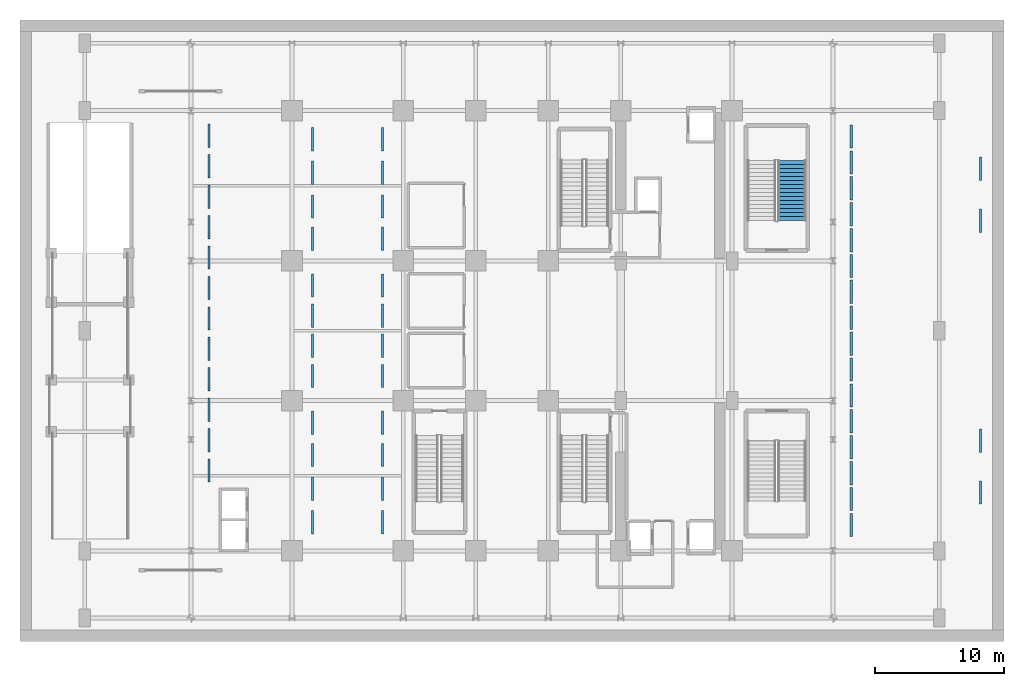
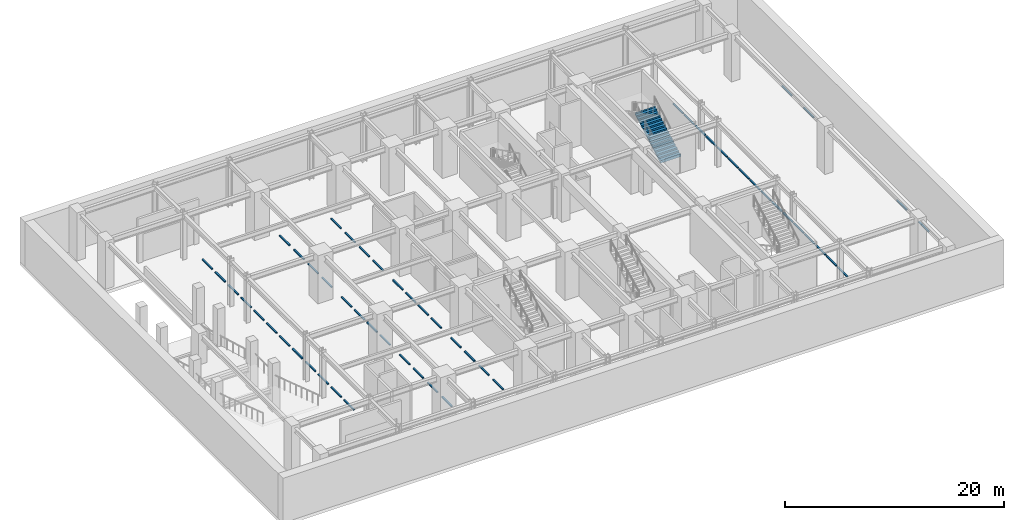
# One storey, part 8 of 10: 56 discrete accessories, 1 stair flight, 1 element without a shape of its own.
"""IFC4 building model written with IfcOpenShell, lengths in metres."""

import ifcopenshell
import ifcopenshell.guid

model = None  # the IFC model being written
_history = None  # IfcOwnerHistory: only IFC2X3 demands one
_inside = {}  # id of a spatial element -> (the spatial element, [elements in it])
_under = {}  # id of a project, library or spatial element -> (it, [spatial elements below it])
_declared = {}  # id of a project -> (the project, [libraries it declares])
_typed = {}  # id of a type object -> (the type object, [elements of that type])
_made_of = {}  # id of a material, layer set ... -> (it, [elements and type objects made of it])


def new_model(schema):
    """Start an empty IFC model of exactly this schema.

    Asked for "IFC4X3", IfcOpenShell would pick the latest addendum, in which some entities
    have other attributes; the version numbers below select the first issue.
    IFC2X3 requires an IfcOwnerHistory on every rooted entity: one is made here for all.
    """
    global model, _history
    if schema == "IFC4X3":
        model = ifcopenshell.file(schema_version=(4, 3, 0, 0))
    else:
        model = ifcopenshell.file(schema=schema)
    _inside.clear()
    _under.clear()
    _declared.clear()
    _typed.clear()
    _made_of.clear()
    _history = None
    if model.schema == "IFC2X3":
        org = make("IfcOrganization", Name="unknown")
        user = make(
            "IfcPersonAndOrganization",
            ThePerson=make("IfcPerson", FamilyName="unknown"),
            TheOrganization=org,
        )
        app = make(
            "IfcApplication",
            ApplicationDeveloper=org,
            Version="unknown",
            ApplicationFullName="unknown",
            ApplicationIdentifier="unknown",
        )
        _history = make(
            "IfcOwnerHistory",
            OwningUser=user,
            OwningApplication=app,
            ChangeAction="ADDED",
            CreationDate=0,
        )
    return model


def make(cls, **values):
    """One entity of the class cls with the attributes given. An attribute that is None is left unset."""
    return model.create_entity(
        cls, **{name: value for name, value in values.items() if value is not None}
    )


def rooted(cls, **values):
    """An entity with a GlobalId (a new one), such as an element, a storey or a relation."""
    return make(cls, GlobalId=ifcopenshell.guid.new(), OwnerHistory=_history, **values)


def si_unit(unit_type, name, prefix=None):
    """IfcSIUnit, for example si_unit("LENGTHUNIT", "METRE", prefix="MILLI")."""
    return make("IfcSIUnit", UnitType=unit_type, Prefix=prefix, Name=name)


def assignment(units):
    """IfcUnitAssignment: the units of a project."""
    return None if units is None else make("IfcUnitAssignment", Units=units)


def point(xyz):
    """IfcCartesianPoint."""
    return None if xyz is None else make("IfcCartesianPoint", Coordinates=xyz)


def direction(xyz):
    """IfcDirection."""
    return None if xyz is None else make("IfcDirection", DirectionRatios=xyz)


def frame(location, z_axis=None, x_axis=None):
    """IfcAxis2Placement3D, a coordinate frame: its origin and axes. An axis left out is left unset."""
    return make(
        "IfcAxis2Placement3D",
        Location=point(location),
        Axis=direction(z_axis),
        RefDirection=direction(x_axis),
    )


def frame_2d(location, x_axis=None):
    """IfcAxis2Placement2D, a coordinate frame in the plane: its origin and x axis."""
    return make(
        "IfcAxis2Placement2D", Location=point(location), RefDirection=direction(x_axis)
    )


def origin():
    """The frame at (0, 0, 0) with its axes left unset."""
    return frame((0.0, 0.0, 0.0))


def origin_2d():
    """The frame at (0, 0) in the plane with its x axis left unset."""
    return frame_2d((0.0, 0.0))


def place(relative_to, where):
    """IfcLocalPlacement: puts the frame where relative to a parent placement (None: the world)."""
    return make(
        "IfcLocalPlacement", PlacementRelTo=relative_to, RelativePlacement=where
    )


def context(
    kind, dimensions, precision=None, world=None, true_north=None, identifier=None
):
    """IfcGeometricRepresentationContext, for example the 3D "Model" context."""
    return make(
        "IfcGeometricRepresentationContext",
        ContextIdentifier=identifier,
        ContextType=kind,
        CoordinateSpaceDimension=dimensions,
        Precision=precision,
        WorldCoordinateSystem=world,
        TrueNorth=true_north,
    )


def subcontext(parent, identifier, kind, view, scale=None):
    """IfcGeometricRepresentationSubContext, for example "Body" below "Model"."""
    return make(
        "IfcGeometricRepresentationSubContext",
        ContextIdentifier=identifier,
        ContextType=kind,
        ParentContext=parent,
        TargetScale=scale,
        TargetView=view,
    )


def project(units=None, contexts=None):
    """IfcProject with its units and contexts."""
    return rooted(
        "IfcProject",
        Name="project",
        RepresentationContexts=contexts,
        UnitsInContext=assignment(units),
    )


def spatial(cls, under=None, at=None, **own):
    """A site, building, storey or space (cls), placed at a placement, below another one or the project."""
    s = rooted(cls, ObjectPlacement=at, **own)
    if under is not None:
        _under.setdefault(under.id(), (under, []))[1].append(s)
    return s


def polyline(points):
    """IfcPolyline through the points."""
    return make("IfcPolyline", Points=[point(p) for p in points])


def profile(cls, at=None, kind="AREA", **sizes):
    """A parametric profile (cls). Its sizes go by their IFC names, for example OverallWidth=200.0."""
    return make(cls, ProfileType=kind, Position=at, **sizes)


def rectangle(**sizes):
    """IfcRectangleProfileDef."""
    return profile("IfcRectangleProfileDef", **sizes)


def outline(outer, holes=None, kind="AREA"):
    """IfcArbitraryClosedProfileDef: a profile drawn as a closed curve; with holes, ...WithVoids."""
    if holes is None:
        return make("IfcArbitraryClosedProfileDef", ProfileType=kind, OuterCurve=outer)
    return make(
        "IfcArbitraryProfileDefWithVoids",
        ProfileType=kind,
        OuterCurve=outer,
        InnerCurves=holes,
    )


def extrude(swept, where, along, depth):
    """IfcExtrudedAreaSolid: the profile swept, set in the frame where, extruded along a direction by depth."""
    return make(
        "IfcExtrudedAreaSolid",
        SweptArea=swept,
        Position=where,
        ExtrudedDirection=direction(along),
        Depth=depth,
    )


def shape(context_of_items, identifier, shape_type, items):
    """IfcShapeRepresentation: the items that make up one representation, for example the "Body"."""
    return make(
        "IfcShapeRepresentation",
        ContextOfItems=context_of_items,
        RepresentationIdentifier=identifier,
        RepresentationType=shape_type,
        Items=items,
    )


def source(mapping_origin, context_of_items, identifier, shape_type, items):
    """IfcRepresentationMap: a shape defined once, which mapped items show again and again."""
    return make(
        "IfcRepresentationMap",
        MappingOrigin=mapping_origin,
        MappedRepresentation=shape(context_of_items, identifier, shape_type, items),
    )


def transform(
    local_origin,
    x_axis=None,
    y_axis=None,
    z_axis=None,
    scale=None,
    scale2=None,
    scale3=None,
    uniform=True,
):
    """IfcCartesianTransformationOperator3D, or its non-uniform kind. x_axis, y_axis, z_axis: its Axis1, 2, 3."""
    if uniform:
        return make(
            "IfcCartesianTransformationOperator3D",
            Axis1=direction(x_axis),
            Axis2=direction(y_axis),
            LocalOrigin=point(local_origin),
            Scale=scale,
            Axis3=direction(z_axis),
        )
    return make(
        "IfcCartesianTransformationOperator3DnonUniform",
        Axis1=direction(x_axis),
        Axis2=direction(y_axis),
        LocalOrigin=point(local_origin),
        Scale=scale,
        Axis3=direction(z_axis),
        Scale2=scale2,
        Scale3=scale3,
    )


def mapped(mapping_source, mapping_target):
    """IfcMappedItem: shows the shape of a source again, moved by a transform."""
    return make(
        "IfcMappedItem", MappingSource=mapping_source, MappingTarget=mapping_target
    )


def material(Name=None, Category=None):
    """IfcMaterial."""
    return make("IfcMaterial", Name=Name, Category=Category)


def layer(
    of_material, thickness, ventilated=None, Name=None, Category=None, Priority=None
):
    """IfcMaterialLayer: one layer of a wall or slab, of a material (None: an air gap)."""
    return make(
        "IfcMaterialLayer",
        Material=of_material,
        LayerThickness=thickness,
        IsVentilated=ventilated,
        Name=Name,
        Category=Category,
        Priority=Priority,
    )


def layer_set(layers, Name=None):
    """IfcMaterialLayerSet."""
    return make("IfcMaterialLayerSet", MaterialLayers=layers, LayerSetName=Name)


def made_of(thing, what):
    """Note that an element or type object is made of a material, layer set ...; save() writes the relation."""
    if what is not None:
        _made_of.setdefault(what.id(), (what, []))[1].append(thing)
    return thing


def type_object(cls, material=None, **own):
    """A type object (cls), such as IfcWallType, which elements share."""
    return made_of(rooted(cls, **own), material)


def element(
    cls,
    number,
    at=None,
    inside=None,
    cuts=None,
    type_object=None,
    material=None,
    context=None,
    identifier="Body",
    shape_type=None,
    held_by="IfcProductDefinitionShape",
    body=None,
    shapes=None,
    **own,
):
    """One element of the class cls, such as IfcWall. Its Tag is "e" and its number.

    at: its placement. inside: the storey or other place that contains it. cuts: it is an
    opening in that element (IfcRelVoidsElement). A single representation is given by context,
    identifier, shape_type and body (its items); several are given by shapes. held_by: the class
    of the entity that holds the representations. save() writes the other relations.
    """
    e = rooted(cls, Tag="e%d" % number, ObjectPlacement=at, **own)
    if body is not None:
        shapes = [shape(context, identifier, shape_type, body)]
    if shapes is not None:
        e.Representation = make(held_by, Representations=shapes)
    if inside is not None:
        _inside.setdefault(inside.id(), (inside, []))[1].append(e)
    if cuts is not None:
        rooted(
            "IfcRelVoidsElement", RelatingBuildingElement=cuts, RelatedOpeningElement=e
        )
    if type_object is not None:
        _typed.setdefault(type_object.id(), (type_object, []))[1].append(e)
    return made_of(e, material)


def aggregate(whole, parts):
    """IfcRelAggregates: a whole, such as a stair, and the parts it consists of."""
    return rooted("IfcRelAggregates", RelatingObject=whole, RelatedObjects=parts)


def save(model, path):
    """Write the relations noted so far, then the file.

    IfcRelAggregates (storeys below a building ...), IfcRelContainedInSpatialStructure (elements
    in a storey), IfcRelDefinesByType, IfcRelAssociatesMaterial and IfcRelDeclares: one each for
    every whole, place, type object, material and project.
    """
    for whole, parts in _under.values():
        aggregate(whole, parts)
    for where, things in _inside.values():
        rooted(
            "IfcRelContainedInSpatialStructure",
            RelatedElements=things,
            RelatingStructure=where,
        )
    for kind, things in _typed.values():
        rooted("IfcRelDefinesByType", RelatedObjects=things, RelatingType=kind)
    for what, things in _made_of.values():
        rooted("IfcRelAssociatesMaterial", RelatedObjects=things, RelatingMaterial=what)
    for by, libraries in _declared.values():
        rooted("IfcRelDeclares", RelatingContext=by, RelatedDefinitions=libraries)
    model.write(path)


model = new_model("IFC4")

# Units and contexts
model_context = context("Model", 3, precision=1e-05, world=origin(), true_north=direction((0.0, 1.0)))
body_context = subcontext(model_context, "Body", "Model", "MODEL_VIEW")
ifc_project = project(units=[si_unit("LENGTHUNIT", "METRE"), si_unit("AREAUNIT", "SQUARE_METRE"), si_unit("VOLUMEUNIT", "CUBIC_METRE"), si_unit("PLANEANGLEUNIT", "RADIAN"), si_unit("MASSUNIT", "GRAM", prefix="KILO")], contexts=[model_context])

# Site, building, storey
site_placement = place(None, origin())
site = spatial("IfcSite", under=ifc_project, at=site_placement, CompositionType="ELEMENT")
building_placement = place(site_placement, origin())
building = spatial("IfcBuilding", under=site, at=building_placement, Name="Nahalor Promenade Grand Hotel", CompositionType="ELEMENT")
storey_placement = place(building_placement, frame((0.0, 0.0, -5.39990234375)))
storey = spatial("IfcBuildingStorey", under=building, at=storey_placement, Name="B01", CompositionType="ELEMENT", Elevation=-5.39990234375)

# Stair, stair flight
ifc_material_1 = material(Name="Concrete B-50 (C40/50)", Category="concrete")
stair_type = type_object("IfcStairType", Name="Stair-ST4", PredefinedType="HALF_TURN_STAIR", material=ifc_material_1)
stair_placement = place(storey_placement, origin())
stair = element("IfcStair", 1, at=stair_placement, inside=storey, type_object=stair_type, Name="B01 ST4", PredefinedType="HALF_TURN_STAIR")
ifc_layer = layer(ifc_material_1, 0.2099609375)
ifc_layer_set = layer_set([ifc_layer], Name="Concrete B-50 (C40/50)")
stair_flight_type = type_object("IfcStairFlightType", Name="Flight-ST4", PredefinedType="STRAIGHT", material=ifc_layer_set)
shared_shape_1 = source(origin(), body_context, "Body", "SweptSolid", [
    extrude(outline(polyline([(-0.00390625, -0.1201171875), (-0.00390625, 0.0), (0.0, 0.0), (0.0, 0.168701171875), (0.31005859375, 0.168701171875), (0.31005859375, 0.33740234375), (0.6201171875, 0.33740234375), (0.6201171875, 0.50634765625), (0.929931640625, 0.50634765625), (0.929931640625, 0.675048828125), (1.239990234375, 0.675048828125), (1.239990234375, 0.84375), (1.550048828125, 0.84375), (1.550048828125, 1.012451171875), (1.860107421875, 1.012451171875), (1.860107421875, 1.18115234375), (2.169921875, 1.18115234375), (2.169921875, 1.35009765625), (2.47998046875, 1.35009765625), (2.47998046875, 1.518798828125), (2.7900390625, 1.518798828125), (2.7900390625, 1.6875), (3.10009765625, 1.6875), (3.10009765625, 1.856201171875), (3.409912109375, 1.856201171875), (3.409912109375, 2.02490234375), (3.719970703125, 2.02490234375), (3.719970703125, 2.19384765625), (4.030029296875, 2.19384765625), (4.030029296875, 2.362548828125), (4.340087890625, 2.362548828125), (4.340087890625, 2.53125), (4.64990234375, 2.53125), (4.64990234375, 2.699951171875), (4.654052734375, 2.699951171875), (4.654052734375, 2.52001953125), (0.02001953125, -0.1201171875), (-0.00390625, -0.1201171875)])), frame((0.0, 1.074951171875, 0.0), z_axis=(0.0, -1.0, 0.0), x_axis=(1.0, 0.0, 0.0)), (0.0, 0.0, 1.0), 2.14990234375),
])
stair_flight_placement = place(storey_placement, frame((21.625, 8.5, 0.0), z_axis=(0.0, 0.0, 1.0), x_axis=(0.0, 1.0, 0.0)))
stair_flight = element("IfcStairFlight", 2, at=stair_flight_placement, type_object=stair_flight_type, Name="ST4 flight 1", NumberOfRisers=16, NumberOfTreads=15, PredefinedType="STRAIGHT", RiserHeight=0.16875, TreadLength=0.31, context=body_context, shape_type="MappedRepresentation", body=[
    mapped(shared_shape_1, transform((0.0, 0.0, 0.0), scale=1.0)),
])
aggregate(stair, [stair_flight])

# Discrete accessories
ifc_material_2 = material(Name="Concrete B-40 (C32/40)", Category="concrete")
discrete_accessory_type = type_object("IfcDiscreteAccessoryType", Name="Acc-ParkingWheelStop", PredefinedType="USERDEFINED", material=ifc_material_2)
shared_shape_2 = source(origin(), body_context, "Body", "SweptSolid", [
    extrude(rectangle(XDim=1.800048828125, YDim=0.159912109375, at=origin_2d()), origin(), (0.0, 0.0, 1.0), 0.1201171875),
])
for number, where, z_axis, x_axis, name in (
    (3, (-23.39990234375, -10.800048828125, -0.000244140625), (0.0, 0.0, 1.0), (0.0, 1.0, 0.0), "B01 Accessible Parking Bay Wheel Stop 01"),
    (4, (-23.39990234375, -8.449951171875, -0.000244140625), (0.0, 0.0, 1.0), (0.0, 1.0, 0.0), "B01 Accessible Parking Bay Wheel Stop 02"),
    (5, (-23.39990234375, -6.10009765625, -0.000244140625), (0.0, 0.0, 1.0), (0.0, 1.0, 0.0), "B01 Accessible Parking Bay Wheel Stop 03"),
    (6, (-23.39990234375, -3.75, -0.000244140625), (0.0, 0.0, 1.0), (0.0, 1.0, 0.0), "B01 Accessible Parking Bay Wheel Stop 04"),
    (7, (-23.39990234375, -1.39990234375, -0.000244140625), (0.0, 0.0, 1.0), (0.0, 1.0, 0.0), "B01 Parking Bay Wheel Stop 05"),
    (8, (-23.39990234375, 0.949951171875, -0.000244140625), (0.0, 0.0, 1.0), (0.0, 1.0, 0.0), "B01 Parking Bay Wheel Stop 06"),
    (9, (-23.39990234375, 3.300048828125, -0.000244140625), (0.0, 0.0, 1.0), (0.0, 1.0, 0.0), "B01 Parking Bay Wheel Stop 07"),
    (10, (-23.39990234375, 5.64990234375, -0.000244140625), (0.0, 0.0, 1.0), (0.0, 1.0, 0.0), "B01 Parking Bay Wheel Stop 08"),
    (11, (-23.39990234375, 8.0, -0.000244140625), (0.0, 0.0, 1.0), (0.0, 1.0, 0.0), "B01 Parking Bay Wheel Stop 09"),
    (12, (-23.39990234375, 10.35009765625, -0.000244140625), (0.0, 0.0, 1.0), (0.0, 1.0, 0.0), "B01 Parking Bay Wheel Stop 10"),
    (13, (-23.39990234375, 12.699951171875, -0.000244140625), (0.0, 0.0, 1.0), (0.0, 1.0, 0.0), "B01 Parking Bay Wheel Stop 11"),
    (14, (-23.39990234375, 15.050048828125, -0.000244140625), (0.0, 0.0, 1.0), (0.0, 1.0, 0.0), "B01 Parking Bay Wheel Stop 12"),
    (15, (-15.39990234375, -14.800048828125, -0.000244140625), (0.0, 0.0, 1.0), (0.0, 1.0, 0.0), "B01 Parking Bay Wheel Stop 13"),
    (16, (-15.39990234375, -12.199951171875, -0.000244140625), (0.0, 0.0, 1.0), (0.0, 1.0, 0.0), "B01 Parking Bay Wheel Stop 14"),
    (17, (-15.39990234375, -9.60009765625, -0.000244140625), (0.0, 0.0, 1.0), (0.0, 1.0, 0.0), "B01 Parking Bay Wheel Stop 15"),
    (18, (-15.39990234375, -7.10009765625, -0.000244140625), (0.0, 0.0, 1.0), (0.0, 1.0, 0.0), "B01 Parking Bay Wheel Stop 16"),
    (19, (-15.39990234375, -3.5, -0.000244140625), (0.0, 0.0, 1.0), (0.0, 1.0, 0.0), "B01 Parking Bay Wheel Stop 17"),
    (20, (-15.39990234375, -1.14990234375, -0.000244140625), (0.0, 0.0, 1.0), (0.0, 1.0, 0.0), "B01 Parking Bay Wheel Stop 18"),
    (21, (-15.39990234375, 1.14990234375, -0.000244140625), (0.0, 0.0, 1.0), (0.0, 1.0, 0.0), "B01 Parking Bay Wheel Stop 19"),
    (22, (-15.39990234375, 3.5, -0.000244140625), (0.0, 0.0, 1.0), (0.0, 1.0, 0.0), "B01 Parking Bay Wheel Stop 20"),
    (23, (-15.39990234375, 7.10009765625, -0.000244140625), (0.0, 0.0, 1.0), (0.0, 1.0, 0.0), "B01 Parking Bay Wheel Stop 21"),
    (24, (-15.39990234375, 9.60009765625, -0.000244140625), (0.0, 0.0, 1.0), (0.0, 1.0, 0.0), "B01 Parking Bay Wheel Stop 22"),
    (25, (-15.39990234375, 12.199951171875, -0.000244140625), (0.0, 0.0, 1.0), (0.0, 1.0, 0.0), "B01 Parking Bay Wheel Stop 23"),
    (26, (-15.39990234375, 14.800048828125, -0.000244140625), (0.0, 0.0, 1.0), (0.0, 1.0, 0.0), "B01 Parking Bay Wheel Stop 24"),
    (27, (-10.0, -14.800048828125, -0.000244140625), (0.0, 0.0, 1.0), (0.0, 1.0, 0.0), "B01 Parking Bay Wheel Stop 25"),
    (28, (-10.0, -12.199951171875, -0.000244140625), (0.0, 0.0, 1.0), (0.0, 1.0, 0.0), "B01 Parking Bay Wheel Stop 26"),
    (29, (-10.0, -9.60009765625, -0.000244140625), (0.0, 0.0, 1.0), (0.0, 1.0, 0.0), "B01 Parking Bay Wheel Stop 27"),
    (30, (-10.0, -7.10009765625, -0.000244140625), (0.0, 0.0, 1.0), (0.0, 1.0, 0.0), "B01 Parking Bay Wheel Stop 28"),
    (31, (-10.0, -3.5, -0.000244140625), (0.0, 0.0, 1.0), (0.0, 1.0, 0.0), "B01 Parking Bay Wheel Stop 29"),
    (32, (-10.0, -1.14990234375, -0.000244140625), (0.0, 0.0, 1.0), (0.0, 1.0, 0.0), "B01 Parking Bay Wheel Stop 30"),
    (33, (-10.0, 1.14990234375, -0.000244140625), (0.0, 0.0, 1.0), (0.0, 1.0, 0.0), "B01 Parking Bay Wheel Stop 31"),
    (34, (-10.0, 3.5, -0.000244140625), (0.0, 0.0, 1.0), (0.0, 1.0, 0.0), "B01 Parking Bay Wheel Stop 32"),
    (35, (-10.0, 7.10009765625, -0.000244140625), (0.0, 0.0, 1.0), (0.0, 1.0, 0.0), "B01 Parking Bay Wheel Stop 33"),
    (36, (-10.0, 9.60009765625, -0.000244140625), (0.0, 0.0, 1.0), (0.0, 1.0, 0.0), "B01 Parking Bay Wheel Stop 34"),
    (37, (-10.0, 12.199951171875, -0.000244140625), (0.0, 0.0, 1.0), (0.0, 1.0, 0.0), "B01 Parking Bay Wheel Stop 35"),
    (38, (-10.0, 14.800048828125, -0.000244140625), (0.0, 0.0, 1.0), (0.0, 1.0, 0.0), "B01 Parking Bay Wheel Stop 36"),
    (39, (26.199951171875, -15.0, -0.000244140625), (0.0, 0.0, 1.0), (0.0, 1.0, 0.0), "B01 Parking Bay Wheel Stop 37"),
    (40, (26.199951171875, -13.0, -0.000244140625), (0.0, 0.0, 1.0), (0.0, 1.0, 0.0), "B01 Parking Bay Wheel Stop 38"),
    (41, (26.199951171875, -11.0, -0.000244140625), (0.0, 0.0, 1.0), (0.0, 1.0, 0.0), "B01 Parking Bay Wheel Stop 39"),
    (42, (26.199951171875, -9.0, -0.000244140625), (0.0, 0.0, 1.0), (0.0, 1.0, 0.0), "B01 Parking Bay Wheel Stop 40"),
    (43, (26.199951171875, -7.0, -0.000244140625), (0.0, 0.0, 1.0), (0.0, 1.0, 0.0), "B01 Parking Bay Wheel Stop 41"),
    (44, (26.199951171875, -5.0, -0.000244140625), (0.0, 0.0, 1.0), (0.0, 1.0, 0.0), "B01 Parking Bay Wheel Stop 42"),
    (45, (26.199951171875, -3.0, -0.000244140625), (0.0, 0.0, 1.0), (0.0, 1.0, 0.0), "B01 Parking Bay Wheel Stop 43"),
    (46, (26.199951171875, -1.0, -0.000244140625), (0.0, 0.0, 1.0), (0.0, 1.0, 0.0), "B01 Parking Bay Wheel Stop 44"),
    (47, (26.199951171875, 1.0, -0.000244140625), (0.0, 0.0, 1.0), (0.0, 1.0, 0.0), "B01 Parking Bay Wheel Stop 45"),
    (48, (26.199951171875, 3.0, -0.000244140625), (0.0, 0.0, 1.0), (0.0, 1.0, 0.0), "B01 Parking Bay Wheel Stop 46"),
    (49, (26.199951171875, 5.0, -0.000244140625), (0.0, 0.0, 1.0), (0.0, 1.0, 0.0), "B01 Parking Bay Wheel Stop 47"),
    (50, (26.199951171875, 7.0, -0.000244140625), (0.0, 0.0, 1.0), (0.0, 1.0, 0.0), "B01 Parking Bay Wheel Stop 48"),
    (51, (26.199951171875, 9.0, -0.000244140625), (0.0, 0.0, 1.0), (0.0, 1.0, 0.0), "B01 Parking Bay Wheel Stop 49"),
    (52, (26.199951171875, 11.0, -0.000244140625), (0.0, 0.0, 1.0), (0.0, 1.0, 0.0), "B01 Parking Bay Wheel Stop 50"),
    (53, (26.199951171875, 13.0, -0.000244140625), (0.0, 0.0, 1.0), (0.0, 1.0, 0.0), "B01 Parking Bay Wheel Stop 51"),
    (54, (26.199951171875, 15.0, -0.000244140625), (0.0, 0.0, 1.0), (0.0, 1.0, 0.0), "B01 Parking Bay Wheel Stop 52"),
    (55, (36.199951171875, -12.5, -0.000244140625), (0.0, 0.0, 1.0), (0.0, 1.0, 0.0), "B01 Parking Bay Wheel Stop 53"),
    (56, (36.199951171875, -8.5, -0.000244140625), (0.0, 0.0, 1.0), (0.0, 1.0, 0.0), "B01 Parking Bay Wheel Stop 54"),
    (57, (36.199951171875, 8.5, -0.000244140625), (0.0, 0.0, 1.0), (0.0, 1.0, 0.0), "B01 Parking Bay Wheel Stop 55"),
    (58, (36.199951171875, 12.5, -0.000244140625), (0.0, 0.0, 1.0), (0.0, 1.0, 0.0), "B01 Parking Bay Wheel Stop 56"),
):
    element("IfcDiscreteAccessory", number, at=place(storey_placement, frame(where, z_axis=z_axis, x_axis=x_axis)), inside=storey, type_object=discrete_accessory_type, Name=name, ObjectType="WHEEL_STOP", PredefinedType="USERDEFINED", context=body_context, shape_type="MappedRepresentation", body=[
        mapped(shared_shape_2, transform((0.0, 0.0, 0.0), scale=1.0)),
    ])

save(model, "model.ifc")
